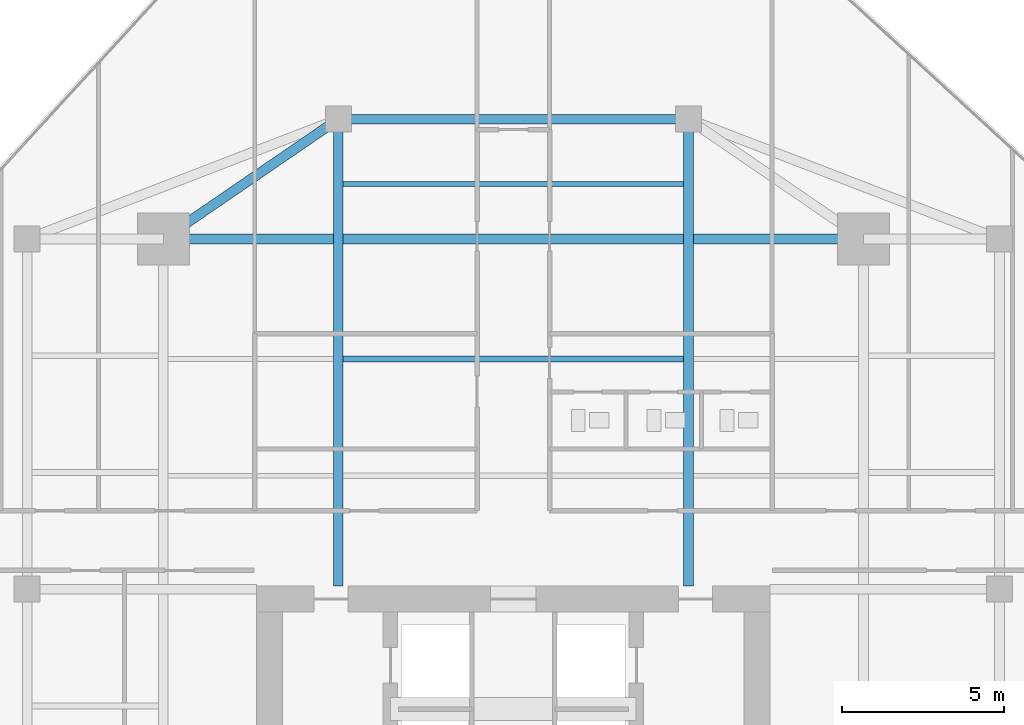
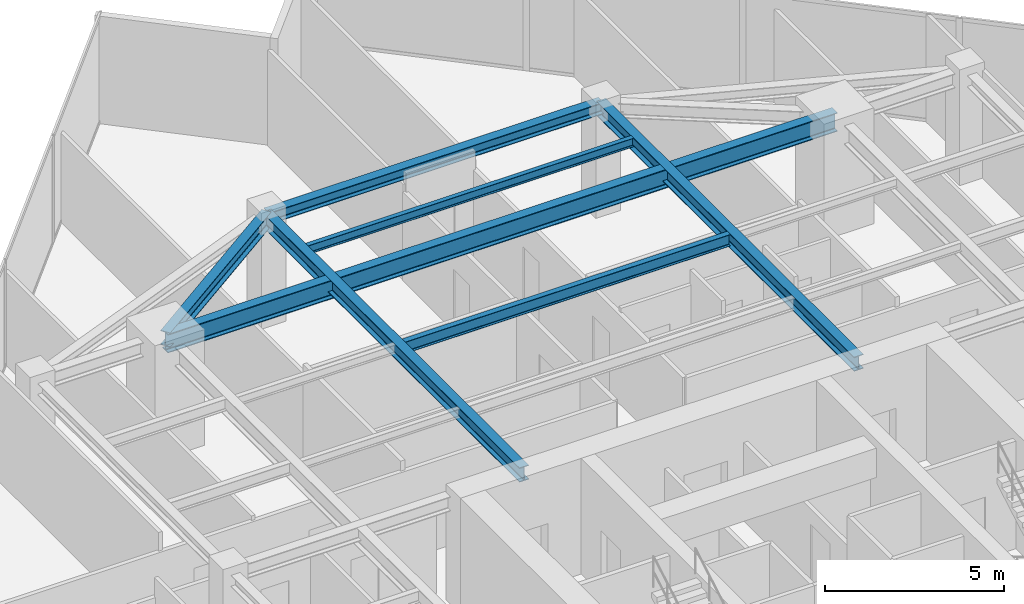
# One storey, part 16 of 26: 7 beams.
"""IFC4 building model written with IfcOpenShell, lengths in metres."""

import ifcopenshell
import ifcopenshell.guid

model = None  # the IFC model being written
_history = None  # IfcOwnerHistory: only IFC2X3 demands one
_inside = {}  # id of a spatial element -> (the spatial element, [elements in it])
_under = {}  # id of a project, library or spatial element -> (it, [spatial elements below it])
_declared = {}  # id of a project -> (the project, [libraries it declares])
_typed = {}  # id of a type object -> (the type object, [elements of that type])
_made_of = {}  # id of a material, layer set ... -> (it, [elements and type objects made of it])


def new_model(schema):
    """Start an empty IFC model of exactly this schema.

    Asked for "IFC4X3", IfcOpenShell would pick the latest addendum, in which some entities
    have other attributes; the version numbers below select the first issue.
    IFC2X3 requires an IfcOwnerHistory on every rooted entity: one is made here for all.
    """
    global model, _history
    if schema == "IFC4X3":
        model = ifcopenshell.file(schema_version=(4, 3, 0, 0))
    else:
        model = ifcopenshell.file(schema=schema)
    _inside.clear()
    _under.clear()
    _declared.clear()
    _typed.clear()
    _made_of.clear()
    _history = None
    if model.schema == "IFC2X3":
        org = make("IfcOrganization", Name="unknown")
        user = make(
            "IfcPersonAndOrganization",
            ThePerson=make("IfcPerson", FamilyName="unknown"),
            TheOrganization=org,
        )
        app = make(
            "IfcApplication",
            ApplicationDeveloper=org,
            Version="unknown",
            ApplicationFullName="unknown",
            ApplicationIdentifier="unknown",
        )
        _history = make(
            "IfcOwnerHistory",
            OwningUser=user,
            OwningApplication=app,
            ChangeAction="ADDED",
            CreationDate=0,
        )
    return model


def make(cls, **values):
    """One entity of the class cls with the attributes given. An attribute that is None is left unset."""
    return model.create_entity(
        cls, **{name: value for name, value in values.items() if value is not None}
    )


def rooted(cls, **values):
    """An entity with a GlobalId (a new one), such as an element, a storey or a relation."""
    return make(cls, GlobalId=ifcopenshell.guid.new(), OwnerHistory=_history, **values)


def si_unit(unit_type, name, prefix=None):
    """IfcSIUnit, for example si_unit("LENGTHUNIT", "METRE", prefix="MILLI")."""
    return make("IfcSIUnit", UnitType=unit_type, Prefix=prefix, Name=name)


def assignment(units):
    """IfcUnitAssignment: the units of a project."""
    return None if units is None else make("IfcUnitAssignment", Units=units)


def point(xyz):
    """IfcCartesianPoint."""
    return None if xyz is None else make("IfcCartesianPoint", Coordinates=xyz)


def direction(xyz):
    """IfcDirection."""
    return None if xyz is None else make("IfcDirection", DirectionRatios=xyz)


def frame(location, z_axis=None, x_axis=None):
    """IfcAxis2Placement3D, a coordinate frame: its origin and axes. An axis left out is left unset."""
    return make(
        "IfcAxis2Placement3D",
        Location=point(location),
        Axis=direction(z_axis),
        RefDirection=direction(x_axis),
    )


def frame_2d(location, x_axis=None):
    """IfcAxis2Placement2D, a coordinate frame in the plane: its origin and x axis."""
    return make(
        "IfcAxis2Placement2D", Location=point(location), RefDirection=direction(x_axis)
    )


def origin():
    """The frame at (0, 0, 0) with its axes left unset."""
    return frame((0.0, 0.0, 0.0))


def origin_2d():
    """The frame at (0, 0) in the plane with its x axis left unset."""
    return frame_2d((0.0, 0.0))


def place(relative_to, where):
    """IfcLocalPlacement: puts the frame where relative to a parent placement (None: the world)."""
    return make(
        "IfcLocalPlacement", PlacementRelTo=relative_to, RelativePlacement=where
    )


def context(
    kind, dimensions, precision=None, world=None, true_north=None, identifier=None
):
    """IfcGeometricRepresentationContext, for example the 3D "Model" context."""
    return make(
        "IfcGeometricRepresentationContext",
        ContextIdentifier=identifier,
        ContextType=kind,
        CoordinateSpaceDimension=dimensions,
        Precision=precision,
        WorldCoordinateSystem=world,
        TrueNorth=true_north,
    )


def subcontext(parent, identifier, kind, view, scale=None):
    """IfcGeometricRepresentationSubContext, for example "Body" below "Model"."""
    return make(
        "IfcGeometricRepresentationSubContext",
        ContextIdentifier=identifier,
        ContextType=kind,
        ParentContext=parent,
        TargetScale=scale,
        TargetView=view,
    )


def project(units=None, contexts=None):
    """IfcProject with its units and contexts."""
    return rooted(
        "IfcProject",
        Name="project",
        RepresentationContexts=contexts,
        UnitsInContext=assignment(units),
    )


def spatial(cls, under=None, at=None, **own):
    """A site, building, storey or space (cls), placed at a placement, below another one or the project."""
    s = rooted(cls, ObjectPlacement=at, **own)
    if under is not None:
        _under.setdefault(under.id(), (under, []))[1].append(s)
    return s


def profile(cls, at=None, kind="AREA", **sizes):
    """A parametric profile (cls). Its sizes go by their IFC names, for example OverallWidth=200.0."""
    return make(cls, ProfileType=kind, Position=at, **sizes)


def i_section(**sizes):
    """IfcIShapeProfileDef."""
    return profile("IfcIShapeProfileDef", **sizes)


def extrude(swept, where, along, depth):
    """IfcExtrudedAreaSolid: the profile swept, set in the frame where, extruded along a direction by depth."""
    return make(
        "IfcExtrudedAreaSolid",
        SweptArea=swept,
        Position=where,
        ExtrudedDirection=direction(along),
        Depth=depth,
    )


def shape(context_of_items, identifier, shape_type, items):
    """IfcShapeRepresentation: the items that make up one representation, for example the "Body"."""
    return make(
        "IfcShapeRepresentation",
        ContextOfItems=context_of_items,
        RepresentationIdentifier=identifier,
        RepresentationType=shape_type,
        Items=items,
    )


def source(mapping_origin, context_of_items, identifier, shape_type, items):
    """IfcRepresentationMap: a shape defined once, which mapped items show again and again."""
    return make(
        "IfcRepresentationMap",
        MappingOrigin=mapping_origin,
        MappedRepresentation=shape(context_of_items, identifier, shape_type, items),
    )


def transform(
    local_origin,
    x_axis=None,
    y_axis=None,
    z_axis=None,
    scale=None,
    scale2=None,
    scale3=None,
    uniform=True,
):
    """IfcCartesianTransformationOperator3D, or its non-uniform kind. x_axis, y_axis, z_axis: its Axis1, 2, 3."""
    if uniform:
        return make(
            "IfcCartesianTransformationOperator3D",
            Axis1=direction(x_axis),
            Axis2=direction(y_axis),
            LocalOrigin=point(local_origin),
            Scale=scale,
            Axis3=direction(z_axis),
        )
    return make(
        "IfcCartesianTransformationOperator3DnonUniform",
        Axis1=direction(x_axis),
        Axis2=direction(y_axis),
        LocalOrigin=point(local_origin),
        Scale=scale,
        Axis3=direction(z_axis),
        Scale2=scale2,
        Scale3=scale3,
    )


def mapped(mapping_source, mapping_target):
    """IfcMappedItem: shows the shape of a source again, moved by a transform."""
    return make(
        "IfcMappedItem", MappingSource=mapping_source, MappingTarget=mapping_target
    )


def material(Name=None, Category=None):
    """IfcMaterial."""
    return make("IfcMaterial", Name=Name, Category=Category)


def material_profile(
    of_material, cross_section, Name=None, Category=None, Priority=None
):
    """IfcMaterialProfile: a cross section and its material."""
    return make(
        "IfcMaterialProfile",
        Name=Name,
        Material=of_material,
        Profile=cross_section,
        Priority=Priority,
        Category=Category,
    )


def profile_set(profiles, Name=None, composite=None):
    """IfcMaterialProfileSet."""
    return make(
        "IfcMaterialProfileSet",
        Name=Name,
        MaterialProfiles=profiles,
        CompositeProfile=composite,
    )


def made_of(thing, what):
    """Note that an element or type object is made of a material, layer set ...; save() writes the relation."""
    if what is not None:
        _made_of.setdefault(what.id(), (what, []))[1].append(thing)
    return thing


def type_object(cls, material=None, **own):
    """A type object (cls), such as IfcWallType, which elements share."""
    return made_of(rooted(cls, **own), material)


def type_shapes(of_type, sources):
    """Give a type object the sources (RepresentationMaps) that its elements show as mapped items."""
    of_type.RepresentationMaps = sources


def element(
    cls,
    number,
    at=None,
    inside=None,
    cuts=None,
    type_object=None,
    material=None,
    context=None,
    identifier="Body",
    shape_type=None,
    held_by="IfcProductDefinitionShape",
    body=None,
    shapes=None,
    **own,
):
    """One element of the class cls, such as IfcWall. Its Tag is "e" and its number.

    at: its placement. inside: the storey or other place that contains it. cuts: it is an
    opening in that element (IfcRelVoidsElement). A single representation is given by context,
    identifier, shape_type and body (its items); several are given by shapes. held_by: the class
    of the entity that holds the representations. save() writes the other relations.
    """
    e = rooted(cls, Tag="e%d" % number, ObjectPlacement=at, **own)
    if body is not None:
        shapes = [shape(context, identifier, shape_type, body)]
    if shapes is not None:
        e.Representation = make(held_by, Representations=shapes)
    if inside is not None:
        _inside.setdefault(inside.id(), (inside, []))[1].append(e)
    if cuts is not None:
        rooted(
            "IfcRelVoidsElement", RelatingBuildingElement=cuts, RelatedOpeningElement=e
        )
    if type_object is not None:
        _typed.setdefault(type_object.id(), (type_object, []))[1].append(e)
    return made_of(e, material)


def aggregate(whole, parts):
    """IfcRelAggregates: a whole, such as a stair, and the parts it consists of."""
    return rooted("IfcRelAggregates", RelatingObject=whole, RelatedObjects=parts)


def save(model, path):
    """Write the relations noted so far, then the file.

    IfcRelAggregates (storeys below a building ...), IfcRelContainedInSpatialStructure (elements
    in a storey), IfcRelDefinesByType, IfcRelAssociatesMaterial and IfcRelDeclares: one each for
    every whole, place, type object, material and project.
    """
    for whole, parts in _under.values():
        aggregate(whole, parts)
    for where, things in _inside.values():
        rooted(
            "IfcRelContainedInSpatialStructure",
            RelatedElements=things,
            RelatingStructure=where,
        )
    for kind, things in _typed.values():
        rooted("IfcRelDefinesByType", RelatedObjects=things, RelatingType=kind)
    for what, things in _made_of.values():
        rooted("IfcRelAssociatesMaterial", RelatedObjects=things, RelatingMaterial=what)
    for by, libraries in _declared.values():
        rooted("IfcRelDeclares", RelatingContext=by, RelatedDefinitions=libraries)
    model.write(path)


model = new_model("IFC4")

# Units and contexts
model_context = context("Model", 3, precision=1e-05, world=origin(), true_north=direction((0.0, 1.0)))
body_context = subcontext(model_context, "Body", "Model", "MODEL_VIEW")
ifc_project = project(units=[si_unit("LENGTHUNIT", "METRE"), si_unit("AREAUNIT", "SQUARE_METRE"), si_unit("VOLUMEUNIT", "CUBIC_METRE"), si_unit("PLANEANGLEUNIT", "RADIAN"), si_unit("MASSUNIT", "GRAM", prefix="KILO")], contexts=[model_context])

# Site, building, storey
site_placement = place(None, origin())
site = spatial("IfcSite", under=ifc_project, at=site_placement, CompositionType="ELEMENT")
building_placement = place(site_placement, origin())
building = spatial("IfcBuilding", under=site, at=building_placement, Name="Krantzveldt Concourse Tower", CompositionType="ELEMENT")
storey_placement = place(building_placement, frame((0.0, 0.0, 227.050048828125)))
storey = spatial("IfcBuildingStorey", under=building, at=storey_placement, Name="L55", CompositionType="ELEMENT", Elevation=227.050048828125)

# Beams
ifc_material = material(Name="Steel S355JR", Category="steel")
ifc_material_profile_1 = material_profile(ifc_material, i_section(OverallWidth=0.300048828125, OverallDepth=0.639892578125, WebThickness=0.013427734375, FlangeThickness=0.02587890625, FilletRadius=0.027099609375, at=origin_2d()), Name="Steel S355JR", Category="steel")
ifc_profile_set_1 = profile_set([ifc_material_profile_1], Name="Steel S355JR - HEA 650")
beam_type_1 = type_object("IfcBeamType", Name="BM-B-HEA650", PredefinedType="BEAM", material=ifc_profile_set_1)
shared_shape_1 = source(origin(), body_context, "Body", "SweptSolid", [
    extrude(i_section(OverallWidth=0.300048828125, OverallDepth=0.639892578125, WebThickness=0.013427734375, FlangeThickness=0.02587890625, FilletRadius=0.027099609375, at=origin_2d()), origin(), (0.0, 0.0, 1.0), 21.60009765625),
])
type_shapes(beam_type_1, [shared_shape_1])
beam_1_placement = place(storey_placement, frame((25.199951171875, 37.5, 3.349853515625), z_axis=(1.0, 0.0, 0.0), x_axis=(0.0, 1.0, 0.0)))
element("IfcBeam", 1, at=beam_1_placement, inside=storey, type_object=beam_type_1, Name="L55 Tower Girder BG-MN", PredefinedType="BEAM", context=body_context, shape_type="MappedRepresentation", body=[
    mapped(shared_shape_1, transform((0.0, 0.0, 0.0), x_axis=(1.0, 0.0, 0.0), y_axis=(0.0, 1.0, 0.0), z_axis=(0.0, 0.0, 1.0), scale=1.0)),
])
ifc_material_profile_2 = material_profile(ifc_material, i_section(OverallWidth=0.179931640625, OverallDepth=0.39990234375, WebThickness=0.008544921875, FlangeThickness=0.013427734375, FilletRadius=0.02099609375, at=origin_2d()), Name="Steel S355JR", Category="steel")
ifc_profile_set_2 = profile_set([ifc_material_profile_2], Name="Steel S355JR - IPE 400")
beam_type_2 = type_object("IfcBeamType", Name="BM-J-IPE400", PredefinedType="JOIST", material=ifc_profile_set_2)
shared_shape_2 = source(origin(), body_context, "Body", "SweptSolid", [
    extrude(i_section(OverallWidth=0.179931640625, OverallDepth=0.39990234375, WebThickness=0.008544921875, FlangeThickness=0.013427734375, FilletRadius=0.02099609375, at=origin_2d()), origin(), (0.0, 0.0, 1.0), 10.5),
])
type_shapes(beam_type_2, [shared_shape_2])
beam_2_placement = place(storey_placement, frame((30.75, 33.800048828125, 3.469970703125), z_axis=(1.0, 0.0, 0.0), x_axis=(0.0, 1.0, 0.0)))
element("IfcBeam", 2, at=beam_2_placement, inside=storey, type_object=beam_type_2, Name="L55 Secondary Floor Joist JN-C2", PredefinedType="JOIST", context=body_context, shape_type="MappedRepresentation", body=[
    mapped(shared_shape_2, transform((0.0, 0.0, 0.0), x_axis=(1.0, 0.0, 0.0), y_axis=(0.0, 1.0, 0.0), z_axis=(0.0, 0.0, 1.0), scale=1.0)),
])
ifc_material_profile_3 = material_profile(ifc_material, i_section(OverallWidth=0.300048828125, OverallDepth=0.389892578125, WebThickness=0.010986328125, FlangeThickness=0.01904296875, FilletRadius=0.027099609375, at=origin_2d()), Name="Steel S355JR", Category="steel")
ifc_profile_set_3 = profile_set([ifc_material_profile_3], Name="Steel S355JR - HEA 400")
beam_type_3 = type_object("IfcBeamType", Name="BM-SP-HEA400", PredefinedType="SPANDREL", material=ifc_profile_set_3)
shared_shape_3 = source(origin(), body_context, "Body", "SweptSolid", [
    extrude(i_section(OverallWidth=0.300048828125, OverallDepth=0.389892578125, WebThickness=0.010986328125, FlangeThickness=0.01904296875, FilletRadius=0.027099609375, at=origin_2d()), origin(), (0.0, 0.0, 1.0), 10.7998046875),
])
type_shapes(beam_type_3, [shared_shape_3])
beam_3_placement = place(storey_placement, frame((30.60009765625, 41.199951171875, 3.474853515625), z_axis=(1.0, 0.0, 0.0), x_axis=(0.0, 1.0, 0.0)))
element("IfcBeam", 3, at=beam_3_placement, inside=storey, type_object=beam_type_3, Name="L55 Tower Girder SP-R04", PredefinedType="SPANDREL", context=body_context, shape_type="MappedRepresentation", body=[
    mapped(shared_shape_3, transform((0.0, 0.0, 0.0), x_axis=(1.0, 0.0, 0.0), y_axis=(0.0, 1.0, 0.0), z_axis=(0.0, 0.0, 1.0), scale=1.0)),
])
ifc_material_profile_4 = material_profile(ifc_material, i_section(OverallWidth=0.300048828125, OverallDepth=0.489990234375, WebThickness=0.011962890625, FlangeThickness=0.02294921875, FilletRadius=0.027099609375, at=origin_2d()), Name="Steel S355JR", Category="steel")
ifc_profile_set_4 = profile_set([ifc_material_profile_4], Name="Steel S355JR - HEA 500")
beam_type_4 = type_object("IfcBeamType", Name="BM-B-HEA500", PredefinedType="BEAM", material=ifc_profile_set_4)
shared_shape_4 = source(origin(), body_context, "Body", "SweptSolid", [
    extrude(i_section(OverallWidth=0.300048828125, OverallDepth=0.489990234375, WebThickness=0.011962890625, FlangeThickness=0.02294921875, FilletRadius=0.027099609375, at=origin_2d()), origin(), (0.0, 0.0, 1.0), 14.39990234375),
])
for number, where, z_axis, x_axis, name in (
    (4, (30.60009765625, 26.800048828125, 3.425048828125), (0.0, 1.0, 0.0), (-1.0, 0.0, 0.0), "L55 Tower Girder BG-CNW"),
    (5, (41.39990234375, 26.800048828125, 3.425048828125), (0.0, 1.0, 0.0), (-1.0, 0.0, 0.0), "L55 Tower Girder BG-CNE"),
):
    element("IfcBeam", number, at=place(storey_placement, frame(where, z_axis=z_axis, x_axis=x_axis)), inside=storey, type_object=beam_type_4, Name=name, PredefinedType="BEAM", context=body_context, shape_type="MappedRepresentation", body=[
        mapped(shared_shape_4, transform((0.0, 0.0, 0.0), x_axis=(1.0, 0.0, 0.0), y_axis=(0.0, 1.0, 0.0), z_axis=(0.0, 0.0, 1.0), scale=1.0)),
    ])
shared_shape_5 = source(origin(), body_context, "Body", "SweptSolid", [
    extrude(i_section(OverallWidth=0.300048828125, OverallDepth=0.489990234375, WebThickness=0.011962890625, FlangeThickness=0.02294921875, FilletRadius=0.027099609375, at=origin_2d()), origin(), (0.0, 0.0, 1.0), 6.546142578125),
])
type_shapes(beam_type_4, [shared_shape_4, shared_shape_5])
beam_4_placement = place(storey_placement, frame((25.199951171875, 37.5, 3.425048828125), z_axis=(0.824942999484, 0.565215930068, 0.0), x_axis=(-0.565215930068, 0.824942999484, 0.0)))
element("IfcBeam", 6, at=beam_4_placement, inside=storey, type_object=beam_type_4, Name="L55 Tower Girder BR-RL4", PredefinedType="BEAM", context=body_context, shape_type="MappedRepresentation", body=[
    mapped(shared_shape_5, transform((0.0, 0.0, 0.0), x_axis=(1.0, 0.0, 0.0), y_axis=(0.0, 1.0, 0.0), z_axis=(0.0, 0.0, 1.0), scale=1.0)),
])
ifc_material_profile_5 = material_profile(ifc_material, i_section(OverallWidth=0.14990234375, OverallDepth=0.300048828125, WebThickness=0.007080078125, FlangeThickness=0.0107421875, FilletRadius=0.014892578125, at=origin_2d()), Name="Steel S355JR", Category="steel")
ifc_profile_set_5 = profile_set([ifc_material_profile_5], Name="Steel S355JR - IPE 300")
beam_type_5 = type_object("IfcBeamType", Name="BM-J-IPE300", PredefinedType="JOIST", material=ifc_profile_set_5)
shared_shape_6 = source(origin(), body_context, "Body", "SweptSolid", [
    extrude(i_section(OverallWidth=0.14990234375, OverallDepth=0.300048828125, WebThickness=0.007080078125, FlangeThickness=0.0107421875, FilletRadius=0.014892578125, at=origin_2d()), origin(), (0.0, 0.0, 1.0), 10.5),
])
type_shapes(beam_type_5, [shared_shape_6])
beam_5_placement = place(storey_placement, frame((30.75, 39.199951171875, 3.52001953125), z_axis=(1.0, 0.0, 0.0), x_axis=(0.0, 1.0, 0.0)))
element("IfcBeam", 7, at=beam_5_placement, inside=storey, type_object=beam_type_5, Name="L55 Secondary Floor Joist JN-C3", PredefinedType="JOIST", context=body_context, shape_type="MappedRepresentation", body=[
    mapped(shared_shape_6, transform((0.0, 0.0, 0.0), x_axis=(1.0, 0.0, 0.0), y_axis=(0.0, 1.0, 0.0), z_axis=(0.0, 0.0, 1.0), scale=1.0)),
])

save(model, "model.ifc")
